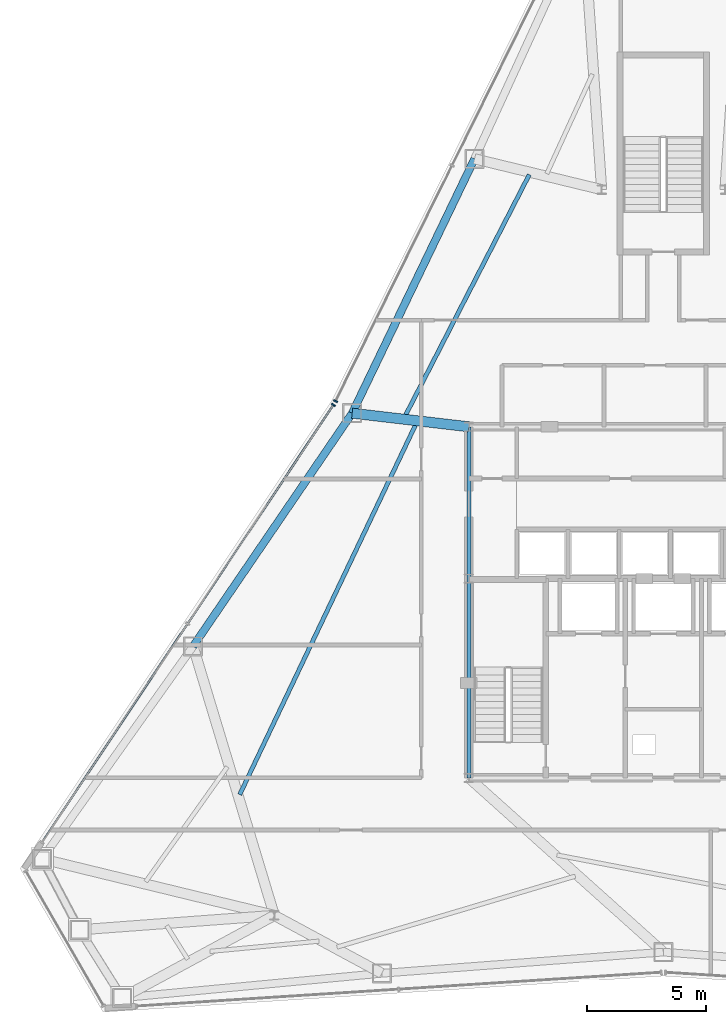
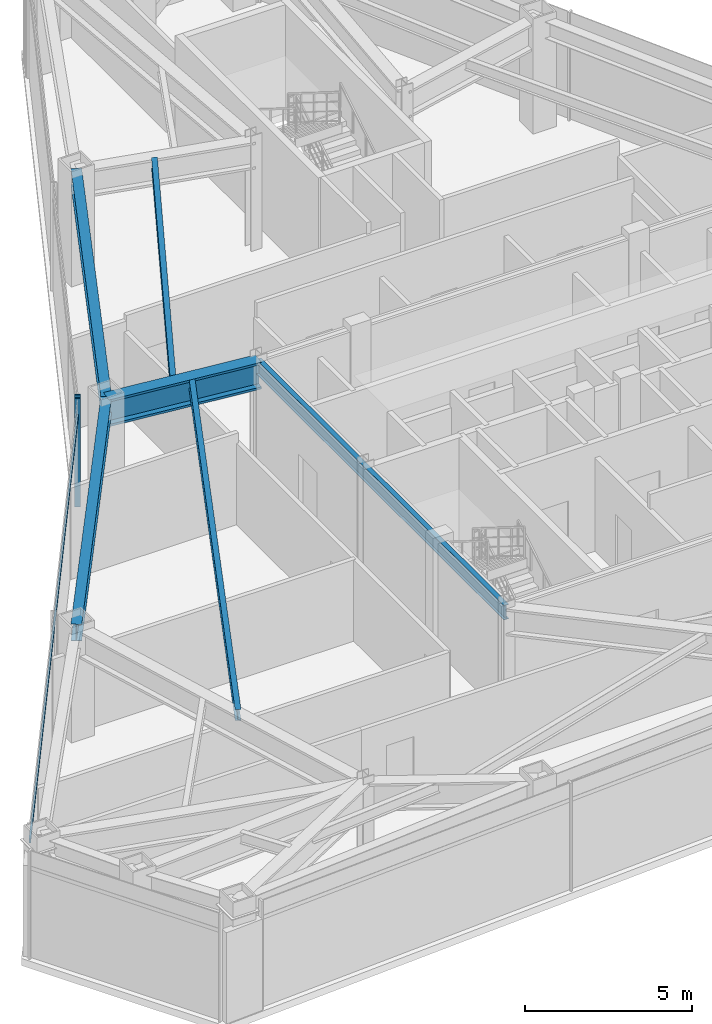
# One storey, part 5 of 13: 6 beams, 3 members, 2 elements without a shape of their own.
"""IFC4 building model written with IfcOpenShell, lengths in metres."""

from ifc_helpers import new_model, si_unit, direction, frame, origin, origin_2d, place, context, subcontext, project, spatial, rectangle, i_section, extrude, source, transform, mapped, material, layer, layer_set, material_profile, profile_set, type_object, type_shapes, element, aggregate, save


model = new_model("IFC4")

# Units and contexts
model_context = context("Model", 3, precision=1e-05, world=origin(), true_north=direction((0.0, 1.0)))
body_context = subcontext(model_context, "Body", "Model", "MODEL_VIEW")
ifc_project = project(units=[si_unit("LENGTHUNIT", "METRE"), si_unit("AREAUNIT", "SQUARE_METRE"), si_unit("VOLUMEUNIT", "CUBIC_METRE"), si_unit("PLANEANGLEUNIT", "RADIAN"), si_unit("MASSUNIT", "GRAM", prefix="KILO")], contexts=[model_context])

# Site, building, storey
site_placement = place(None, origin())
site = spatial("IfcSite", under=ifc_project, at=site_placement, CompositionType="ELEMENT")
building_placement = place(site_placement, origin())
building = spatial("IfcBuilding", under=site, at=building_placement, Name="Varakhsha Concourse Tower", CompositionType="ELEMENT")
storey_placement = place(building_placement, frame((0.0, 0.0, 200.699951171875)))
storey = spatial("IfcBuildingStorey", under=building, at=storey_placement, Name="L57", CompositionType="ELEMENT", Elevation=200.699951171875)

# Beams
ifc_material_1 = material(Name="Structural Steel ASTM A992 Grade 50", Category="steel")
ifc_material_profile_1 = material_profile(ifc_material_1, i_section(OverallWidth=0.177978515625, OverallDepth=0.406982421875, WebThickness=0.008056640625, FlangeThickness=0.012939453125, at=origin_2d()), Name="W16X40")
ifc_profile_set_1 = profile_set([ifc_material_profile_1], Name="Structural Steel ASTM A992 Grade 50")
beam_type_1 = type_object("IfcBeamType", Name="BM-JST-W16X40", PredefinedType="JOIST", material=ifc_profile_set_1)
beam_1_placement = place(storey_placement, frame((34.348876953125, 41.82958984375, 3.74658203125), z_axis=(-0.457458026681, -0.889231215053, 0.0), x_axis=(0.889231215053, -0.457458026681, 0.0)))
element("IfcBeam", 1, at=beam_1_placement, inside=storey, type_object=beam_type_1, Name="BM-TJST-L57-04", PredefinedType="JOIST", context=body_context, shape_type="SweptSolid", body=[
    extrude(i_section(OverallWidth=0.177978515625, OverallDepth=0.406982421875, WebThickness=0.008056640625, FlangeThickness=0.012939453125, at=origin_2d()), origin(), (0.0, 0.0, 1.0), 11.482421875),
])
beam_2_placement = place(storey_placement, frame((29.588623046875, 31.35302734375, 3.74658203125), z_axis=(-0.429486021931, -0.903073505849, 0.0), x_axis=(0.903073505849, -0.429486021931, 0.0)))
element("IfcBeam", 2, at=beam_2_placement, inside=storey, type_object=beam_type_1, Name="BM-TJST-L57-05", PredefinedType="JOIST", context=body_context, shape_type="SweptSolid", body=[
    extrude(i_section(OverallWidth=0.177978515625, OverallDepth=0.406982421875, WebThickness=0.008056640625, FlangeThickness=0.012939453125, at=origin_2d()), origin(), (0.0, 0.0, 1.0), 17.343994140625),
])
ifc_material_profile_2 = material_profile(ifc_material_1, i_section(OverallWidth=0.1669921875, OverallDepth=0.534912109375, WebThickness=0.010009765625, FlangeThickness=0.01708984375, at=origin_2d()), Name="W21X57")
ifc_profile_set_2 = profile_set([ifc_material_profile_2], Name="Structural Steel ASTM A992 Grade 50")
beam_type_2 = type_object("IfcBeamType", Name="BM-RAD-W21X57", PredefinedType="BEAM", material=ifc_profile_set_2)
beam_3_placement = place(storey_placement, frame((31.800048828125, 16.39990234375, 3.6826171875), z_axis=(0.0, 1.0, 0.0), x_axis=(-1.0, 0.0, 0.0)))
element("IfcBeam", 3, at=beam_3_placement, inside=storey, type_object=beam_type_2, Name="BM-TCORE-L57-CW", PredefinedType="BEAM", context=body_context, shape_type="SweptSolid", body=[
    extrude(i_section(OverallWidth=0.1669921875, OverallDepth=0.534912109375, WebThickness=0.010009765625, FlangeThickness=0.01708984375, at=origin_2d()), origin(), (0.0, 0.0, 1.0), 14.800048828125),
])
ifc_material_profile_3 = material_profile(ifc_material_1, i_section(OverallWidth=0.323974609375, OverallDepth=0.611083984375, WebThickness=0.012939453125, FlangeThickness=0.01904296875, at=origin_2d()), Name="W24X104")
ifc_profile_set_3 = profile_set([ifc_material_profile_3], Name="Structural Steel ASTM A992 Grade 50")
beam_type_3 = type_object("IfcBeamType", Name="BM-SPAN-W24X104", PredefinedType="SPANDREL", material=ifc_profile_set_3)
beam_4_placement = place(storey_placement, frame((32.04150390625, 42.498779296875, 3.64453125), z_axis=(-0.433524483295, -0.901141788169, 0.0), x_axis=(0.901141788169, -0.433524483295, 0.0)))
element("IfcBeam", 4, at=beam_4_placement, inside=storey, type_object=beam_type_3, Name="BM-SPAN-L57-04", PredefinedType="SPANDREL", context=body_context, shape_type="SweptSolid", body=[
    extrude(i_section(OverallWidth=0.323974609375, OverallDepth=0.611083984375, WebThickness=0.012939453125, FlangeThickness=0.01904296875, at=origin_2d()), origin(), (0.0, 0.0, 1.0), 11.901611328125),
])
beam_5_placement = place(storey_placement, frame((26.8818359375, 31.773681640625, 3.64453125), z_axis=(-0.563657595968, -0.826008543846, 0.0), x_axis=(0.826008543846, -0.563657595968, 0.0)))
element("IfcBeam", 5, at=beam_5_placement, inside=storey, type_object=beam_type_3, Name="BM-SPAN-L57-05", PredefinedType="SPANDREL", context=body_context, shape_type="SweptSolid", body=[
    extrude(i_section(OverallWidth=0.323974609375, OverallDepth=0.611083984375, WebThickness=0.012939453125, FlangeThickness=0.01904296875, at=origin_2d()), origin(), (0.0, 0.0, 1.0), 11.9013671875),
])
ifc_material_profile_4 = material_profile(ifc_material_1, i_section(OverallWidth=0.427978515625, OverallDepth=0.97509765625, WebThickness=0.050048828125, FlangeThickness=0.0810546875, at=origin_2d()), Name="W36X395")
ifc_profile_set_4 = profile_set([ifc_material_profile_4], Name="Structural Steel ASTM A992 Grade 50")
beam_type_4 = type_object("IfcBeamType", Name="BM-XFER-W36X395", PredefinedType="USERDEFINED", material=ifc_profile_set_4)
beam_6_placement = place(storey_placement, frame((31.800048828125, 31.199951171875, 3.462646484375), z_axis=(-0.993264557786, 0.115868538635, 0.0), x_axis=(-0.115868538635, -0.993264557786, 0.0)))
element("IfcBeam", 6, at=beam_6_placement, inside=storey, type_object=beam_type_4, Name="L57 Radial Floor Girder 05", ObjectType="GIRDER", PredefinedType="USERDEFINED", context=body_context, shape_type="SweptSolid", body=[
    extrude(i_section(OverallWidth=0.427978515625, OverallDepth=0.97509765625, WebThickness=0.050048828125, FlangeThickness=0.0810546875, at=origin_2d()), origin(), (0.0, 0.0, 1.0), 4.95166015625),
])

# Curtain wall, member
ifc_material_2 = material(Name="Anodised Bronze Architectural Aluminium AA 6063-T6", Category="aluminium")
ifc_layer = layer(ifc_material_2, 0.199951171875, Name="CW-SYS-05")
ifc_layer_set = layer_set([ifc_layer], Name="Anodised Bronze Architectural Aluminium AA 6063-T6")
curtain_wall_type = type_object("IfcCurtainWallType", Name="CW-SYS-05", PredefinedType="NOTDEFINED", material=ifc_layer_set)
curtain_wall_1_placement = place(storey_placement, origin())
curtain_wall_1 = element("IfcCurtainWall", 7, at=curtain_wall_1_placement, inside=storey, type_object=curtain_wall_type, Name="L57 Crystal Curtain Wall F2", PredefinedType="NOTDEFINED")
ifc_material_profile_5 = material_profile(ifc_material_2, rectangle(XDim=0.06494140625, YDim=0.179931640625, at=origin_2d()), Name="CWM-180X65")
ifc_profile_set_5 = profile_set([ifc_material_profile_5], Name="Anodised Bronze Architectural Aluminium AA 6063-T6")
member_type_1 = type_object("IfcMemberType", Name="CWM-180X65", PredefinedType="MULLION", material=ifc_profile_set_5)
shared_shape_1 = source(origin(), body_context, "Body", "SweptSolid", [
    extrude(rectangle(XDim=0.06494140625, YDim=0.179931640625, at=origin_2d()), origin(), (0.0, 0.0, 1.0), 3.949951171875),
])
type_shapes(member_type_1, [shared_shape_1])
member_1_placement = place(storey_placement, frame((26.184326171875, 32.280517578125, 0.0), z_axis=(0.0, 0.0, 1.0), x_axis=(0.443343421923, 0.896351833957, 0.0)))
member_1 = element("IfcMember", 8, at=member_1_placement, type_object=member_type_1, Name="CW-L57-F2 Mullion 00", PredefinedType="MULLION", context=body_context, shape_type="MappedRepresentation", body=[
    mapped(shared_shape_1, transform((0.0, 0.0, 0.0), scale=1.0)),
])
aggregate(curtain_wall_1, [member_1])

# Curtain wall, members
curtain_wall_2_placement = place(storey_placement, origin())
curtain_wall_2 = element("IfcCurtainWall", 9, at=curtain_wall_2_placement, inside=storey, type_object=curtain_wall_type, Name="L57 Crystal Curtain Wall F3", PredefinedType="NOTDEFINED")
member_2_placement = place(storey_placement, frame((26.09423828125, 32.12451171875, 0.0), z_axis=(0.0, 0.0, 1.0), x_axis=(0.554591747974, 0.832122582964, 0.0)))
member_2 = element("IfcMember", 10, at=member_2_placement, type_object=member_type_1, Name="CW-L57-F3 Mullion 02", PredefinedType="MULLION", context=body_context, shape_type="MappedRepresentation", body=[
    mapped(shared_shape_1, transform((0.0, 0.0, 0.0), scale=1.0)),
])
ifc_material_profile_6 = material_profile(ifc_material_2, rectangle(XDim=0.06005859375, YDim=0.139892578125, at=origin_2d()), Name="CWT-140X60")
ifc_profile_set_6 = profile_set([ifc_material_profile_6], Name="Anodised Bronze Architectural Aluminium AA 6063-T6")
member_type_2 = type_object("IfcMemberType", Name="CWT-140X60", PredefinedType="USERDEFINED", material=ifc_profile_set_6)
shared_shape_2 = source(origin(), body_context, "Body", "SweptSolid", [
    extrude(rectangle(XDim=0.06005859375, YDim=0.139892578125, at=origin_2d()), origin(), (0.0, 0.0, 1.0), 22.171630859375),
])
type_shapes(member_type_2, [shared_shape_2])
member_3_placement = place(storey_placement, frame((13.798095703125, 13.675048828125, 3.300048828125), z_axis=(0.554590924126, 0.832123132041, 0.0), x_axis=(-0.832123132041, 0.554590924126, 0.0)))
member_3 = element("IfcMember", 11, at=member_3_placement, type_object=member_type_2, Name="CW-L57-F3 Transom 01", ObjectType="TRANSOM", PredefinedType="USERDEFINED", context=body_context, shape_type="MappedRepresentation", body=[
    mapped(shared_shape_2, transform((0.0, 0.0, 0.0), scale=1.0)),
])
aggregate(curtain_wall_2, [member_2, member_3])

save(model, "model.ifc")
